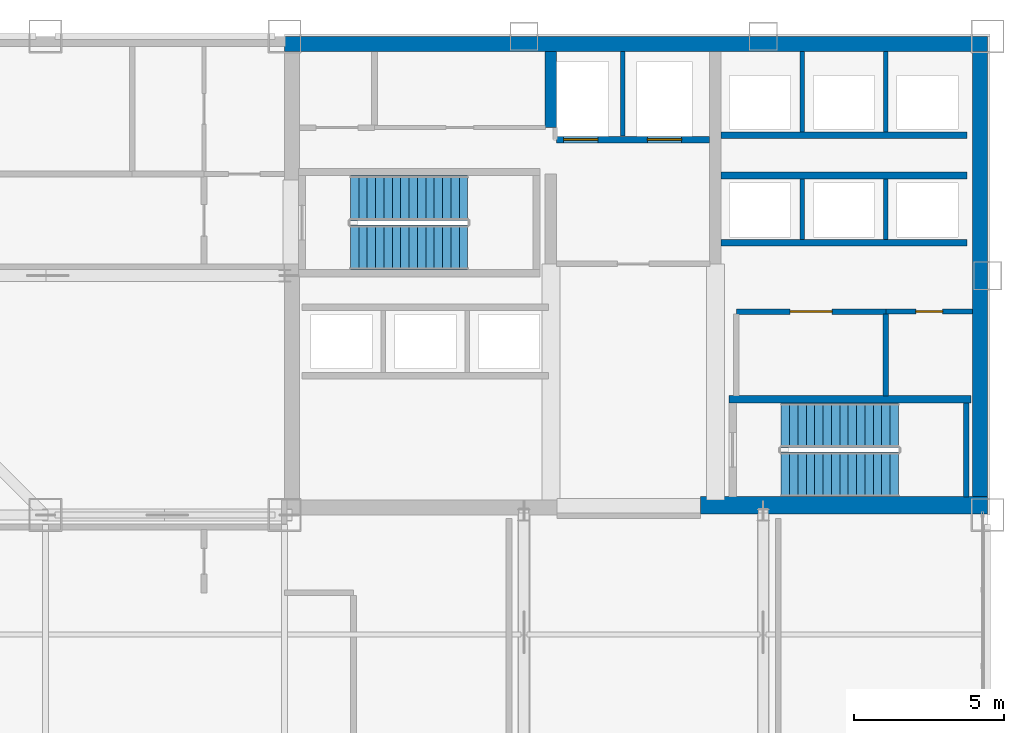
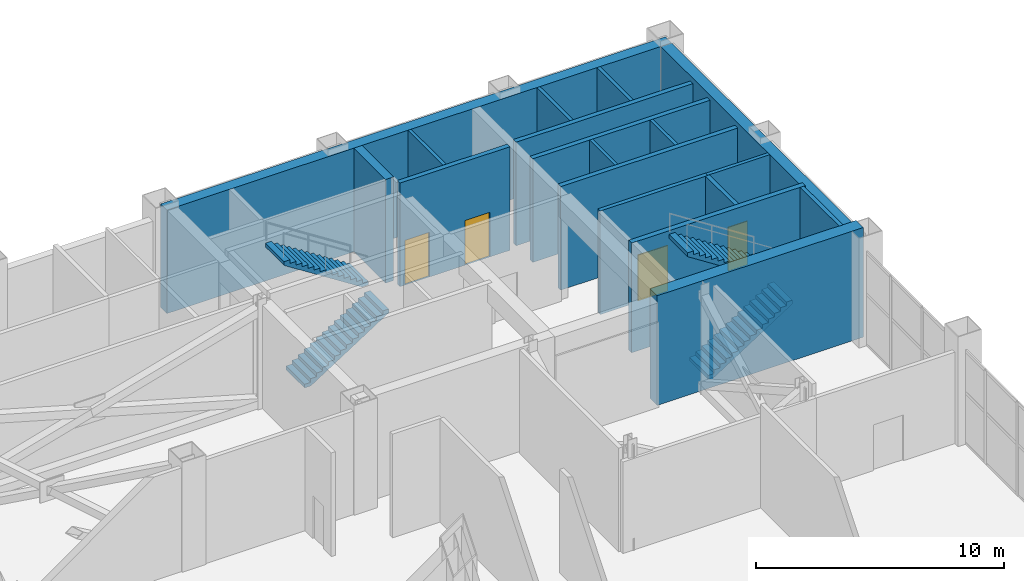
# One storey, part 22 of 24: 18 walls, 4 doors, 4 stair flights, 4 openings, 2 elements without a shape of their own.
"""IFC4 building model written with IfcOpenShell, lengths in metres."""

from ifc_helpers import new_model, si_unit, direction, frame, frame_2d, origin, place, context, subcontext, project, spatial, polyline, rectangle, outline, extrude, material, layer, layer_set, type_object, element, fill, aggregate, save


model = new_model("IFC4")

# Units and contexts
model_context = context("Model", 3, precision=1e-05, world=origin(), true_north=direction((0.0, 1.0)))
body_context = subcontext(model_context, "Body", "Model", "MODEL_VIEW")
ifc_project = project(units=[si_unit("LENGTHUNIT", "METRE"), si_unit("AREAUNIT", "SQUARE_METRE"), si_unit("VOLUMEUNIT", "CUBIC_METRE"), si_unit("PLANEANGLEUNIT", "RADIAN"), si_unit("MASSUNIT", "GRAM", prefix="KILO")], contexts=[model_context])

# Site, building, storey
site_placement = place(None, origin())
site = spatial("IfcSite", under=ifc_project, at=site_placement, CompositionType="ELEMENT")
building_placement = place(site_placement, origin())
building = spatial("IfcBuilding", under=site, at=building_placement, Name="Qianrong Seaharbour Tower", CompositionType="ELEMENT")
storey_placement = place(building_placement, frame((0.0, 0.0, 195.0)))
storey = spatial("IfcBuildingStorey", under=building, at=storey_placement, Name="L47", CompositionType="ELEMENT", Elevation=195.0)

# Walls
ifc_material_1 = material(Name="Concrete C60/75", Category="concrete")
ifc_layer_1 = layer(ifc_material_1, 0.5)
ifc_layer_set_1 = layer_set([ifc_layer_1], Name="Concrete C60/75")
wall_type_1 = type_object("IfcWallType", Name="WALL-CORE-500", PredefinedType="SHEAR", material=ifc_layer_set_1)
wall_1_placement = place(storey_placement, frame((40.5, 51.75, 0.0), z_axis=(0.0, 0.0, 1.0), x_axis=(1.0, 0.0, 0.0)))
element("IfcWall", 1, at=wall_1_placement, inside=storey, type_object=wall_type_1, Name="L47 North Core Shear Wall", PredefinedType="SHEAR", context=body_context, shape_type="SweptSolid", body=[
    extrude(rectangle(XDim=23.5, YDim=0.5, at=frame_2d((11.75, 0.0))), origin(), (0.0, 0.0, 1.0), 5.10009765625),
])
wall_2_placement = place(storey_placement, frame((63.75, 36.320068359375, 0.0), z_axis=(0.0, 0.0, 1.0), x_axis=(0.0, 1.0, 0.0)))
element("IfcWall", 2, at=wall_2_placement, inside=storey, type_object=wall_type_1, Name="L47 East Core Shear Wall", PredefinedType="SHEAR", context=body_context, shape_type="SweptSolid", body=[
    extrude(rectangle(XDim=15.179931640625, YDim=0.5, at=frame_2d((7.58984375, 0.0))), origin(), (0.0, 0.0, 1.0), 5.10009765625),
])
ifc_material_2 = material(Name="Concrete C70/85", Category="concrete")
ifc_layer_2 = layer(ifc_material_2, 0.580078125)
ifc_layer_set_2 = layer_set([ifc_layer_2], Name="Concrete C70/85")
wall_type_2 = type_object("IfcWallType", Name="WALL-CORE-580", PredefinedType="SHEAR", material=ifc_layer_set_2)
wall_3_placement = place(storey_placement, frame((54.39990234375, 36.320068359375, 0.0), z_axis=(0.0, 0.0, 1.0), x_axis=(1.0, 0.0, 0.0)))
element("IfcWall", 3, at=wall_3_placement, inside=storey, type_object=wall_type_2, Name="L47 South Core Shear Wall S3", PredefinedType="SHEAR", context=body_context, shape_type="SweptSolid", body=[
    extrude(rectangle(XDim=9.60009765625, YDim=0.580078125, at=frame_2d((4.800048828125, 0.0))), origin(), (0.0, 0.0, 1.0), 5.39990234375),
])
ifc_layer_3 = layer(ifc_material_1, 0.3798828125)
ifc_layer_set_3 = layer_set([ifc_layer_3], Name="Concrete C60/75")
wall_type_3 = type_object("IfcWallType", Name="WALL-CORE-INT-380", PredefinedType="SHEAR", material=ifc_layer_set_3)
wall_4_placement = place(storey_placement, frame((49.39990234375, 48.949951171875, 0.0), z_axis=(0.0, 0.0, 1.0), x_axis=(0.0, 1.0, 0.0)))
element("IfcWall", 4, at=wall_4_placement, inside=storey, type_object=wall_type_3, Name="L47 Internal Core Shear Wall IW1N2", PredefinedType="SHEAR", context=body_context, shape_type="SweptSolid", body=[
    extrude(rectangle(XDim=2.550048828125, YDim=0.3798828125, at=frame_2d((1.27490234375, 0.0))), origin(), (0.0, 0.0, 1.0), 5.10009765625),
])

# Wall, opening, door
ifc_material_3 = material(Name="Fire-rated acoustic gypsum board partition")
ifc_layer_4 = layer(ifc_material_3, 0.1650390625)
ifc_layer_set_4 = layer_set([ifc_layer_4], Name="Fire-rated acoustic gypsum board partition")
wall_type_4 = type_object("IfcWallType", Name="WALL-CORR-PART-165", PredefinedType="PARTITIONING", material=ifc_layer_set_4)
wall_5_placement = place(storey_placement, frame((63.5, 42.800048828125, 0.0), z_axis=(0.0, 0.0, 1.0), x_axis=(-1.0, 0.0, 0.0)))
wall_5 = element("IfcWall", 5, at=wall_5_placement, inside=storey, type_object=wall_type_4, Name="L47 Interior Partition Wall 011", PredefinedType="PARTITIONING", context=body_context, shape_type="SweptSolid", body=[
    extrude(rectangle(XDim=2.89990234375, YDim=0.1650390625, at=frame_2d((1.449951171875, 0.0))), origin(), (0.0, 0.0, 1.0), 5.10009765625),
])
opening_1_placement = place(wall_5_placement, frame((1.0, 0.0, 0.0)))
opening_1 = element("IfcOpeningElement", 6, at=opening_1_placement, cuts=wall_5, Name="Opening DS-01", PredefinedType="OPENING", context=body_context, shape_type="SweptSolid", body=[
    extrude(rectangle(XDim=0.89990234375, YDim=2.14990234375, at=frame_2d((0.449951171875, 1.074951171875))), frame((0.0, 0.092529296875, 0.0), z_axis=(0.0, -1.0, 0.0), x_axis=(1.0, 0.0, 0.0)), (0.0, 0.0, 1.0), 0.18505859375),
])
ifc_material_4 = material(Name="Acoustic timber and galvanized steel fire door assembly", Category="steel")
door_type_1 = type_object("IfcDoorType", Name="DOOR-STORE-900x2150", OperationType="NOTDEFINED", PredefinedType="DOOR", material=ifc_material_4)
door_1_placement = place(opening_1_placement, origin())
door_1 = element("IfcDoor", 7, at=door_1_placement, inside=storey, type_object=door_type_1, Name="L47 Housekeeping Linen Store Door", OperationType="SINGLE_SWING_RIGHT", OverallHeight=2.14990234375, OverallWidth=0.89990234375, PredefinedType="DOOR", context=body_context, shape_type="SweptSolid", body=[
    extrude(rectangle(XDim=0.89990234375, YDim=2.14990234375, at=frame_2d((0.449951171875, 1.074951171875))), frame((0.0, 0.02490234375, 0.0), z_axis=(0.0, -1.0, 0.0), x_axis=(1.0, 0.0, 0.0)), (0.0, 0.0, 1.0), 0.050048828125),
])
fill(opening_1, door_1)

ifc_material_5 = material(Name="Double fire-rated gypsum board acoustic partition")
ifc_layer_5 = layer(ifc_material_5, 0.18994140625)
ifc_layer_set_5 = layer_set([ifc_layer_5], Name="Double fire-rated gypsum board acoustic partition")
wall_type_5 = type_object("IfcWallType", Name="WALL-FIRE-PART-190", PredefinedType="PARTITIONING", material=ifc_layer_set_5)
wall_6_placement = place(storey_placement, frame((60.60009765625, 42.800048828125, 0.0), z_axis=(0.0, 0.0, 1.0), x_axis=(-1.0, 0.0, 0.0)))
wall_6 = element("IfcWall", 8, at=wall_6_placement, inside=storey, type_object=wall_type_5, Name="L47 Interior Partition Wall 010", PredefinedType="PARTITIONING", context=body_context, shape_type="SweptSolid", body=[
    extrude(rectangle(XDim=5.0, YDim=0.18994140625, at=frame_2d((2.5, 0.0))), origin(), (0.0, 0.0, 1.0), 5.10009765625),
])
opening_2_placement = place(wall_6_placement, frame((1.800048828125, 0.0, 0.0)))
opening_2 = element("IfcOpeningElement", 9, at=opening_2_placement, cuts=wall_6, Name="Opening DP-01", PredefinedType="OPENING", context=body_context, shape_type="SweptSolid", body=[
    extrude(rectangle(XDim=1.39990234375, YDim=2.25, at=frame_2d((0.699951171875, 1.125))), frame((0.0, 0.10498046875, 0.0), z_axis=(0.0, -1.0, 0.0), x_axis=(1.0, 0.0, 0.0)), (0.0, 0.0, 1.0), 0.2099609375),
])
door_type_2 = type_object("IfcDoorType", Name="DOOR-PLANT-PAIR-1400x2250", OperationType="DOUBLE_DOOR_SINGLE_SWING", PredefinedType="DOOR", material=ifc_material_4)
door_2_placement = place(opening_2_placement, origin())
door_2 = element("IfcDoor", 10, at=door_2_placement, inside=storey, type_object=door_type_2, Name="L47 Submetering Switch Room Door", OperationType="DOUBLE_DOOR_SINGLE_SWING", OverallHeight=2.25, OverallWidth=1.39990234375, PredefinedType="DOOR", context=body_context, shape_type="SweptSolid", body=[
    extrude(rectangle(XDim=1.39990234375, YDim=2.25, at=frame_2d((0.699951171875, 1.125))), frame((0.0, 0.02490234375, 0.0), z_axis=(0.0, -1.0, 0.0), x_axis=(1.0, 0.0, 0.0)), (0.0, 0.0, 1.0), 0.050048828125),
])
fill(opening_2, door_2)

# Walls
wall_7_placement = place(storey_placement, frame((60.60009765625, 42.712890625, 0.0), z_axis=(0.0, 0.0, 1.0), x_axis=(0.0, -1.0, 0.0)))
element("IfcWall", 11, at=wall_7_placement, inside=storey, type_object=wall_type_5, Name="L47 Interior Partition Wall 013", PredefinedType="PARTITIONING", context=body_context, shape_type="SweptSolid", body=[
    extrude(rectangle(XDim=2.73095703125, YDim=0.18994140625, at=frame_2d((1.365478515625, 0.0))), origin(), (0.0, 0.0, 1.0), 5.10009765625),
])
ifc_material_6 = material(Name="Fire-rated gypsum board on steel studs", Category="steel")
ifc_layer_6 = layer(ifc_material_6, 0.14990234375)
ifc_layer_set_6 = layer_set([ifc_layer_6], Name="Fire-rated gypsum board on steel studs")
wall_type_6 = type_object("IfcWallType", Name="WALL-SHAFT-DIV-150", PredefinedType="PARTITIONING", material=ifc_layer_set_6)
wall_8_placement = place(storey_placement, frame((51.800048828125, 48.669921875, 0.0), z_axis=(0.0, 0.0, 1.0), x_axis=(0.0, 1.0, 0.0)))
element("IfcWall", 12, at=wall_8_placement, inside=storey, type_object=wall_type_6, Name="L47 Firefighting Lift Shaft Divider Wall", PredefinedType="PARTITIONING", context=body_context, shape_type="SweptSolid", body=[
    extrude(rectangle(XDim=2.830078125, YDim=0.14990234375, at=frame_2d((1.4150390625, 0.0))), origin(), (0.0, 0.0, 1.0), 5.10009765625),
])
for number, where, z_axis, x_axis, name in (
    (13, (57.800048828125, 45.2099609375, 0.0), (0.0, 0.0, 1.0), (0.0, 1.0, 0.0), "L47 P3 Lift Hoistway Divider 2"),
    (14, (60.60009765625, 45.2099609375, 0.0), (0.0, 0.0, 1.0), (0.0, 1.0, 0.0), "L47 P3 Lift Hoistway Divider 3"),
):
    element("IfcWall", number, at=place(storey_placement, frame(where, z_axis=z_axis, x_axis=x_axis)), inside=storey, type_object=wall_type_6, Name=name, PredefinedType="PARTITIONING", context=body_context, shape_type="SweptSolid", body=[
        extrude(rectangle(XDim=2.030029296875, YDim=0.14990234375, at=frame_2d((1.01513671875, 0.0))), origin(), (0.0, 0.0, 1.0), 5.10009765625),
    ])
for number, where, z_axis, x_axis, name in (
    (15, (57.800048828125, 48.81005859375, 0.0), (0.0, 0.0, 1.0), (0.0, 1.0, 0.0), "L47 P4 Lift Hoistway Divider 2"),
    (16, (60.60009765625, 48.81005859375, 0.0), (0.0, 0.0, 1.0), (0.0, 1.0, 0.0), "L47 P4 Lift Hoistway Divider 3"),
):
    element("IfcWall", number, at=place(storey_placement, frame(where, z_axis=z_axis, x_axis=x_axis)), inside=storey, type_object=wall_type_6, Name=name, PredefinedType="PARTITIONING", context=body_context, shape_type="SweptSolid", body=[
        extrude(rectangle(XDim=2.68994140625, YDim=0.14990234375, at=frame_2d((1.344970703125, 0.0))), origin(), (0.0, 0.0, 1.0), 5.10009765625),
    ])

# Wall, openings, doors
ifc_layer_7 = layer(ifc_material_6, 0.219970703125)
ifc_layer_set_7 = layer_set([ifc_layer_7], Name="Fire-rated gypsum board on steel studs")
wall_type_7 = type_object("IfcWallType", Name="WALL-SHAFT-GYP220", PredefinedType="PARTITIONING", material=ifc_layer_set_7)
wall_9_placement = place(storey_placement, frame((54.7099609375, 48.550048828125, 0.0), z_axis=(0.0, 0.0, 1.0), x_axis=(-1.0, 0.0, 0.0)))
wall_9 = element("IfcWall", 17, at=wall_9_placement, inside=storey, type_object=wall_type_7, Name="L47 Firefighting Lift Shaft Front Wall", PredefinedType="PARTITIONING", context=body_context, shape_type="SweptSolid", body=[
    extrude(rectangle(XDim=5.119873046875, YDim=0.219970703125, at=frame_2d((2.56005859375, 0.0))), origin(), (0.0, 0.0, 1.0), 5.10009765625),
])
opening_3_placement = place(wall_9_placement, frame((3.735107421875, 0.0, 0.0)))
opening_3 = element("IfcOpeningElement", 18, at=opening_3_placement, cuts=wall_9, Name="Opening LD-01", PredefinedType="OPENING", context=body_context, shape_type="SweptSolid", body=[
    extrude(rectangle(XDim=1.14990234375, YDim=2.199951171875, at=frame_2d((0.574951171875, 1.10009765625))), frame((0.0, 0.1201171875, 0.0), z_axis=(0.0, -1.0, 0.0), x_axis=(1.0, 0.0, 0.0)), (0.0, 0.0, 1.0), 0.239990234375),
])
opening_4_placement = place(wall_9_placement, frame((0.93505859375, 0.0, 0.0)))
opening_4 = element("IfcOpeningElement", 19, at=opening_4_placement, cuts=wall_9, Name="Opening LD-01", PredefinedType="OPENING", context=body_context, shape_type="SweptSolid", body=[
    extrude(rectangle(XDim=1.14990234375, YDim=2.199951171875, at=frame_2d((0.574951171875, 1.10009765625))), frame((0.0, 0.1201171875, 0.0), z_axis=(0.0, -1.0, 0.0), x_axis=(1.0, 0.0, 0.0)), (0.0, 0.0, 1.0), 0.239990234375),
])
ifc_material_7 = material(Name="Stainless steel SUS316L bi-parting lift landing door", Category="steel")
door_type_3 = type_object("IfcDoorType", Name="DOOR-LIFT-FF-1150x2200", OperationType="DOUBLE_DOOR_SLIDING", PredefinedType="DOOR", material=ifc_material_7)
door_3_placement = place(opening_3_placement, origin())
door_3 = element("IfcDoor", 20, at=door_3_placement, inside=storey, type_object=door_type_3, Name="L47 FL-1 Firefighting Lift Landing Door", OperationType="DOUBLE_DOOR_SLIDING", OverallHeight=2.199951171875, OverallWidth=1.14990234375, PredefinedType="DOOR", context=body_context, shape_type="SweptSolid", body=[
    extrude(rectangle(XDim=1.14990234375, YDim=2.199951171875, at=frame_2d((0.574951171875, 1.10009765625))), frame((0.0, 0.02490234375, 0.0), z_axis=(0.0, -1.0, 0.0), x_axis=(1.0, 0.0, 0.0)), (0.0, 0.0, 1.0), 0.050048828125),
])
fill(opening_3, door_3)
door_4_placement = place(opening_4_placement, origin())
door_4 = element("IfcDoor", 21, at=door_4_placement, inside=storey, type_object=door_type_3, Name="L47 FL-2 Firefighting Lift Landing Door", OperationType="DOUBLE_DOOR_SLIDING", OverallHeight=2.199951171875, OverallWidth=1.14990234375, PredefinedType="DOOR", context=body_context, shape_type="SweptSolid", body=[
    extrude(rectangle(XDim=1.14990234375, YDim=2.199951171875, at=frame_2d((0.574951171875, 1.10009765625))), frame((0.0, 0.02490234375, 0.0), z_axis=(0.0, -1.0, 0.0), x_axis=(1.0, 0.0, 0.0)), (0.0, 0.0, 1.0), 0.050048828125),
])
fill(opening_4, door_4)

# Walls
for number, where, z_axis, x_axis, name in (
    (22, (63.320068359375, 45.10009765625, 0.0), (0.0, 0.0, 1.0), (-1.0, 0.0, 0.0), "L47 P3 Lift Hoistway Front Wall"),
    (23, (55.080078125, 47.35009765625, 0.0), (0.0, 0.0, 1.0), (1.0, 0.0, 0.0), "L47 P3 Lift Hoistway Back Wall"),
    (24, (63.320068359375, 48.699951171875, 0.0), (0.0, 0.0, 1.0), (-1.0, 0.0, 0.0), "L47 P4 Lift Hoistway Front Wall"),
):
    element("IfcWall", number, at=place(storey_placement, frame(where, z_axis=z_axis, x_axis=x_axis)), inside=storey, type_object=wall_type_7, Name=name, PredefinedType="PARTITIONING", context=body_context, shape_type="SweptSolid", body=[
        extrude(rectangle(XDim=8.239990234375, YDim=0.219970703125, at=frame_2d((4.1201171875, 0.0))), origin(), (0.0, 0.0, 1.0), 5.10009765625),
    ])
ifc_material_8 = material(Name="Concrete C50/60", Category="concrete")
ifc_layer_8 = layer(ifc_material_8, 0.239990234375)
ifc_layer_set_8 = layer_set([ifc_layer_8], Name="Concrete C50/60")
wall_type_8 = type_object("IfcWallType", Name="WALL-SHAFT-RC240", PredefinedType="SOLIDWALL", material=ifc_layer_set_8)
wall_10_placement = place(storey_placement, frame((55.360107421875, 39.8701171875, 0.0), z_axis=(0.0, 0.0, 1.0), x_axis=(1.0, 0.0, 0.0)))
element("IfcWall", 25, at=wall_10_placement, inside=storey, type_object=wall_type_8, Name="L47 ST-2 Structural Stair Core Wall N", PredefinedType="SOLIDWALL", context=body_context, shape_type="SweptSolid", body=[
    extrude(rectangle(XDim=8.079833984375, YDim=0.239990234375, at=frame_2d((4.0400390625, 0.0))), origin(), (0.0, 0.0, 1.0), 5.39990234375),
])
wall_11_placement = place(storey_placement, frame((63.2900390625, 36.60009765625, 0.0), z_axis=(0.0, 0.0, 1.0), x_axis=(0.0, 1.0, 0.0)))
element("IfcWall", 26, at=wall_11_placement, inside=storey, type_object=wall_type_8, Name="L47 ST-2 Structural Stair Core Wall E", PredefinedType="SOLIDWALL", context=body_context, shape_type="SweptSolid", body=[
    extrude(rectangle(XDim=3.14990234375, YDim=0.179931640625, at=frame_2d((1.574951171875, 0.0))), origin(), (0.0, 0.0, 1.0), 5.39990234375),
])

# Stair, stair flights
stair_type = type_object("IfcStairType", Name="STAIR-DOGLEG-1500-R30", PredefinedType="HALF_TURN_STAIR", material=ifc_material_8)
stair_1_placement = place(storey_placement, origin())
stair_1 = element("IfcStair", 27, at=stair_1_placement, inside=storey, type_object=stair_type, Name="L47 Protected Escape Stair ST-1", PredefinedType="HALF_TURN_STAIR")
stair_flight_type = type_object("IfcStairFlightType", Name="FLIGHT-STR-1500-R30", PredefinedType="STRAIGHT", material=ifc_material_8)
stair_flight_1_placement = place(storey_placement, frame((42.699951171875, 44.949951171875, 0.0), z_axis=(0.0, 0.0, 1.0), x_axis=(1.0, 0.0, 0.0)))
stair_flight_1 = element("IfcStairFlight", 28, at=stair_flight_1_placement, type_object=stair_flight_type, Name="ST-1 flight 1", NumberOfRisers=15, NumberOfTreads=14, PredefinedType="STRAIGHT", RiserHeight=0.18, TreadLength=0.28, context=body_context, shape_type="SweptSolid", body=[
    extrude(outline(polyline([(0.0, 0.0), (0.0, 0.179931640625), (0.280029296875, 0.179931640625), (0.280029296875, 0.360107421875), (0.56005859375, 0.360107421875), (0.56005859375, 0.5400390625), (0.840087890625, 0.5400390625), (0.840087890625, 0.719970703125), (1.1201171875, 0.719970703125), (1.1201171875, 0.89990234375), (1.39990234375, 0.89990234375), (1.39990234375, 1.080078125), (1.679931640625, 1.080078125), (1.679931640625, 1.260009765625), (1.9599609375, 1.260009765625), (1.9599609375, 1.43994140625), (2.239990234375, 1.43994140625), (2.239990234375, 1.6201171875), (2.52001953125, 1.6201171875), (2.52001953125, 1.800048828125), (2.800048828125, 1.800048828125), (2.800048828125, 1.97998046875), (3.080078125, 1.97998046875), (3.080078125, 2.159912109375), (3.360107421875, 2.159912109375), (3.360107421875, 2.340087890625), (3.639892578125, 2.340087890625), (3.639892578125, 2.52001953125), (3.919921875, 2.52001953125), (3.919921875, 2.699951171875), (3.919921875, 2.329833984375), (0.295654296875, 0.0), (0.0, 0.0)])), frame((0.0, 0.75, 0.0), z_axis=(0.0, -1.0, 0.0), x_axis=(1.0, 0.0, 0.0)), (0.0, 0.0, 1.0), 1.5),
])
stair_flight_2_placement = place(storey_placement, frame((46.6201171875, 46.60009765625, 2.699951171875), z_axis=(0.0, 0.0, 1.0), x_axis=(-1.0, 0.0, 0.0)))
stair_flight_2 = element("IfcStairFlight", 29, at=stair_flight_2_placement, type_object=stair_flight_type, Name="ST-1 flight 2", NumberOfRisers=15, NumberOfTreads=14, PredefinedType="STRAIGHT", RiserHeight=0.18, TreadLength=0.28, context=body_context, shape_type="SweptSolid", body=[
    extrude(outline(polyline([(0.0, 0.0), (0.0, 0.179931640625), (0.280029296875, 0.179931640625), (0.280029296875, 0.360107421875), (0.56005859375, 0.360107421875), (0.56005859375, 0.5400390625), (0.840087890625, 0.5400390625), (0.840087890625, 0.719970703125), (1.1201171875, 0.719970703125), (1.1201171875, 0.89990234375), (1.39990234375, 0.89990234375), (1.39990234375, 1.080078125), (1.679931640625, 1.080078125), (1.679931640625, 1.260009765625), (1.9599609375, 1.260009765625), (1.9599609375, 1.43994140625), (2.239990234375, 1.43994140625), (2.239990234375, 1.6201171875), (2.52001953125, 1.6201171875), (2.52001953125, 1.800048828125), (2.800048828125, 1.800048828125), (2.800048828125, 1.97998046875), (3.080078125, 1.97998046875), (3.080078125, 2.159912109375), (3.360107421875, 2.159912109375), (3.360107421875, 2.340087890625), (3.639892578125, 2.340087890625), (3.639892578125, 2.52001953125), (3.919921875, 2.52001953125), (3.919921875, 2.699951171875), (3.919921875, 2.329833984375), (0.295654296875, 0.0), (0.0, 0.0)])), frame((0.0, 0.75, 0.0), z_axis=(0.0, -1.0, 0.0), x_axis=(1.0, 0.0, 0.0)), (0.0, 0.0, 1.0), 1.5),
])
aggregate(stair_1, [stair_flight_1, stair_flight_2])

stair_2_placement = place(storey_placement, origin())
stair_2 = element("IfcStair", 30, at=stair_2_placement, inside=storey, type_object=stair_type, Name="L47 Protected Escape Stair ST-2", PredefinedType="HALF_TURN_STAIR")
stair_flight_3_placement = place(storey_placement, frame((57.10009765625, 37.35009765625, 0.0), z_axis=(0.0, 0.0, 1.0), x_axis=(1.0, 0.0, 0.0)))
stair_flight_3 = element("IfcStairFlight", 31, at=stair_flight_3_placement, type_object=stair_flight_type, Name="ST-2 flight 1", NumberOfRisers=15, NumberOfTreads=14, PredefinedType="STRAIGHT", RiserHeight=0.18, TreadLength=0.28, context=body_context, shape_type="SweptSolid", body=[
    extrude(outline(polyline([(0.0, 0.0), (0.0, 0.179931640625), (0.280029296875, 0.179931640625), (0.280029296875, 0.360107421875), (0.56005859375, 0.360107421875), (0.56005859375, 0.5400390625), (0.840087890625, 0.5400390625), (0.840087890625, 0.719970703125), (1.1201171875, 0.719970703125), (1.1201171875, 0.89990234375), (1.39990234375, 0.89990234375), (1.39990234375, 1.080078125), (1.679931640625, 1.080078125), (1.679931640625, 1.260009765625), (1.9599609375, 1.260009765625), (1.9599609375, 1.43994140625), (2.239990234375, 1.43994140625), (2.239990234375, 1.6201171875), (2.52001953125, 1.6201171875), (2.52001953125, 1.800048828125), (2.800048828125, 1.800048828125), (2.800048828125, 1.97998046875), (3.080078125, 1.97998046875), (3.080078125, 2.159912109375), (3.360107421875, 2.159912109375), (3.360107421875, 2.340087890625), (3.639892578125, 2.340087890625), (3.639892578125, 2.52001953125), (3.919921875, 2.52001953125), (3.919921875, 2.699951171875), (3.919921875, 2.329833984375), (0.295654296875, 0.0), (0.0, 0.0)])), frame((0.0, 0.75, 0.0), z_axis=(0.0, -1.0, 0.0), x_axis=(1.0, 0.0, 0.0)), (0.0, 0.0, 1.0), 1.5),
])
stair_flight_4_placement = place(storey_placement, frame((61.02001953125, 39.0, 2.699951171875), z_axis=(0.0, 0.0, 1.0), x_axis=(-1.0, 0.0, 0.0)))
stair_flight_4 = element("IfcStairFlight", 32, at=stair_flight_4_placement, type_object=stair_flight_type, Name="ST-2 flight 2", NumberOfRisers=15, NumberOfTreads=14, PredefinedType="STRAIGHT", RiserHeight=0.18, TreadLength=0.28, context=body_context, shape_type="SweptSolid", body=[
    extrude(outline(polyline([(0.0, 0.0), (0.0, 0.179931640625), (0.280029296875, 0.179931640625), (0.280029296875, 0.360107421875), (0.56005859375, 0.360107421875), (0.56005859375, 0.5400390625), (0.840087890625, 0.5400390625), (0.840087890625, 0.719970703125), (1.1201171875, 0.719970703125), (1.1201171875, 0.89990234375), (1.39990234375, 0.89990234375), (1.39990234375, 1.080078125), (1.679931640625, 1.080078125), (1.679931640625, 1.260009765625), (1.9599609375, 1.260009765625), (1.9599609375, 1.43994140625), (2.239990234375, 1.43994140625), (2.239990234375, 1.6201171875), (2.52001953125, 1.6201171875), (2.52001953125, 1.800048828125), (2.800048828125, 1.800048828125), (2.800048828125, 1.97998046875), (3.080078125, 1.97998046875), (3.080078125, 2.159912109375), (3.360107421875, 2.159912109375), (3.360107421875, 2.340087890625), (3.639892578125, 2.340087890625), (3.639892578125, 2.52001953125), (3.919921875, 2.52001953125), (3.919921875, 2.699951171875), (3.919921875, 2.329833984375), (0.295654296875, 0.0), (0.0, 0.0)])), frame((0.0, 0.75, 0.0), z_axis=(0.0, -1.0, 0.0), x_axis=(1.0, 0.0, 0.0)), (0.0, 0.0, 1.0), 1.5),
])
aggregate(stair_2, [stair_flight_3, stair_flight_4])

save(model, "model.ifc")
